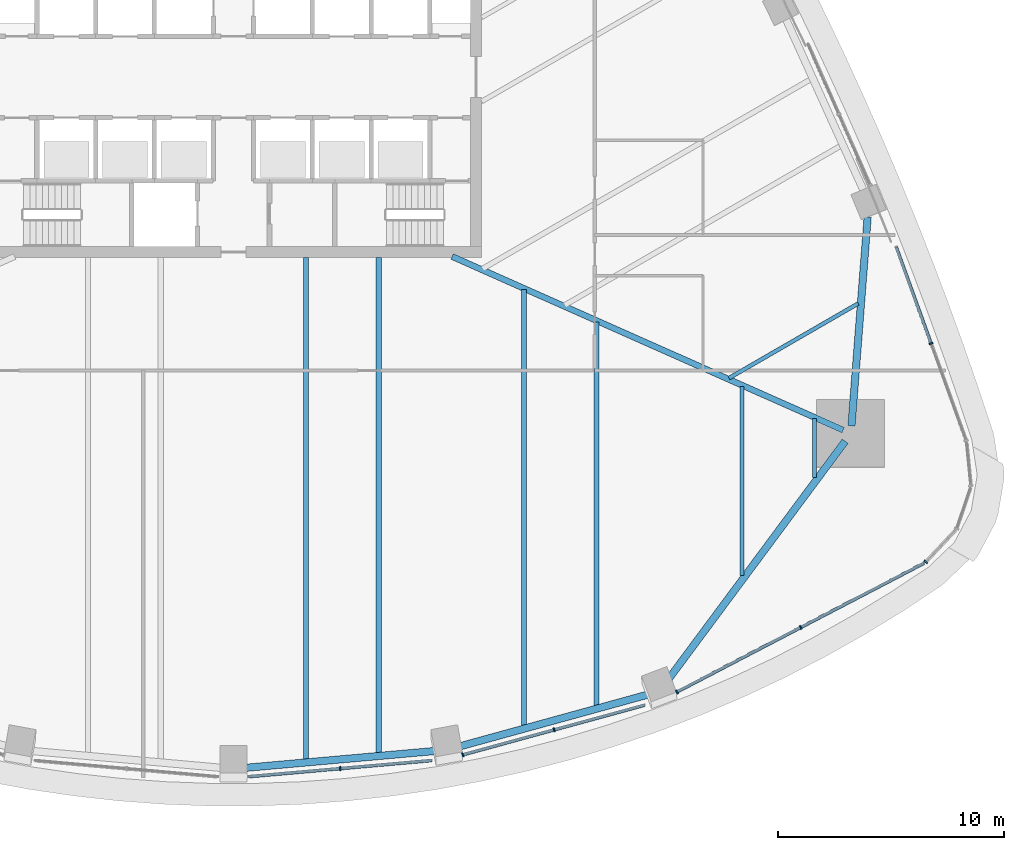
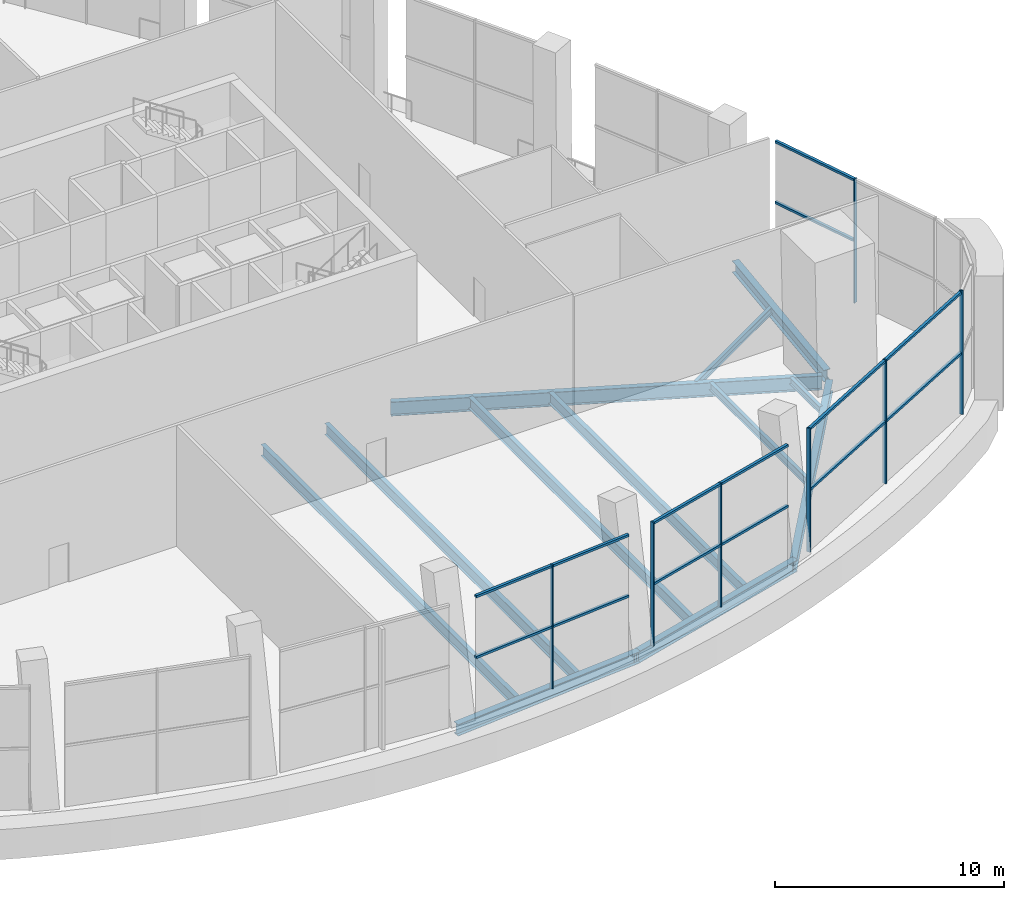
# One storey, part 5 of 23: 21 members, 12 beams, 5 elements without a shape of their own.
"""IFC4 building model written with IfcOpenShell, lengths in metres."""

import ifcopenshell
import ifcopenshell.guid

model = None  # the IFC model being written
_history = None  # IfcOwnerHistory: only IFC2X3 demands one
_inside = {}  # id of a spatial element -> (the spatial element, [elements in it])
_under = {}  # id of a project, library or spatial element -> (it, [spatial elements below it])
_declared = {}  # id of a project -> (the project, [libraries it declares])
_typed = {}  # id of a type object -> (the type object, [elements of that type])
_made_of = {}  # id of a material, layer set ... -> (it, [elements and type objects made of it])


def new_model(schema):
    """Start an empty IFC model of exactly this schema.

    Asked for "IFC4X3", IfcOpenShell would pick the latest addendum, in which some entities
    have other attributes; the version numbers below select the first issue.
    IFC2X3 requires an IfcOwnerHistory on every rooted entity: one is made here for all.
    """
    global model, _history
    if schema == "IFC4X3":
        model = ifcopenshell.file(schema_version=(4, 3, 0, 0))
    else:
        model = ifcopenshell.file(schema=schema)
    _inside.clear()
    _under.clear()
    _declared.clear()
    _typed.clear()
    _made_of.clear()
    _history = None
    if model.schema == "IFC2X3":
        org = make("IfcOrganization", Name="unknown")
        user = make(
            "IfcPersonAndOrganization",
            ThePerson=make("IfcPerson", FamilyName="unknown"),
            TheOrganization=org,
        )
        app = make(
            "IfcApplication",
            ApplicationDeveloper=org,
            Version="unknown",
            ApplicationFullName="unknown",
            ApplicationIdentifier="unknown",
        )
        _history = make(
            "IfcOwnerHistory",
            OwningUser=user,
            OwningApplication=app,
            ChangeAction="ADDED",
            CreationDate=0,
        )
    return model


def make(cls, **values):
    """One entity of the class cls with the attributes given. An attribute that is None is left unset."""
    return model.create_entity(
        cls, **{name: value for name, value in values.items() if value is not None}
    )


def rooted(cls, **values):
    """An entity with a GlobalId (a new one), such as an element, a storey or a relation."""
    return make(cls, GlobalId=ifcopenshell.guid.new(), OwnerHistory=_history, **values)


def si_unit(unit_type, name, prefix=None):
    """IfcSIUnit, for example si_unit("LENGTHUNIT", "METRE", prefix="MILLI")."""
    return make("IfcSIUnit", UnitType=unit_type, Prefix=prefix, Name=name)


def assignment(units):
    """IfcUnitAssignment: the units of a project."""
    return None if units is None else make("IfcUnitAssignment", Units=units)


def point(xyz):
    """IfcCartesianPoint."""
    return None if xyz is None else make("IfcCartesianPoint", Coordinates=xyz)


def direction(xyz):
    """IfcDirection."""
    return None if xyz is None else make("IfcDirection", DirectionRatios=xyz)


def frame(location, z_axis=None, x_axis=None):
    """IfcAxis2Placement3D, a coordinate frame: its origin and axes. An axis left out is left unset."""
    return make(
        "IfcAxis2Placement3D",
        Location=point(location),
        Axis=direction(z_axis),
        RefDirection=direction(x_axis),
    )


def frame_2d(location, x_axis=None):
    """IfcAxis2Placement2D, a coordinate frame in the plane: its origin and x axis."""
    return make(
        "IfcAxis2Placement2D", Location=point(location), RefDirection=direction(x_axis)
    )


def origin():
    """The frame at (0, 0, 0) with its axes left unset."""
    return frame((0.0, 0.0, 0.0))


def origin_2d():
    """The frame at (0, 0) in the plane with its x axis left unset."""
    return frame_2d((0.0, 0.0))


def place(relative_to, where):
    """IfcLocalPlacement: puts the frame where relative to a parent placement (None: the world)."""
    return make(
        "IfcLocalPlacement", PlacementRelTo=relative_to, RelativePlacement=where
    )


def context(
    kind, dimensions, precision=None, world=None, true_north=None, identifier=None
):
    """IfcGeometricRepresentationContext, for example the 3D "Model" context."""
    return make(
        "IfcGeometricRepresentationContext",
        ContextIdentifier=identifier,
        ContextType=kind,
        CoordinateSpaceDimension=dimensions,
        Precision=precision,
        WorldCoordinateSystem=world,
        TrueNorth=true_north,
    )


def subcontext(parent, identifier, kind, view, scale=None):
    """IfcGeometricRepresentationSubContext, for example "Body" below "Model"."""
    return make(
        "IfcGeometricRepresentationSubContext",
        ContextIdentifier=identifier,
        ContextType=kind,
        ParentContext=parent,
        TargetScale=scale,
        TargetView=view,
    )


def project(units=None, contexts=None):
    """IfcProject with its units and contexts."""
    return rooted(
        "IfcProject",
        Name="project",
        RepresentationContexts=contexts,
        UnitsInContext=assignment(units),
    )


def spatial(cls, under=None, at=None, **own):
    """A site, building, storey or space (cls), placed at a placement, below another one or the project."""
    s = rooted(cls, ObjectPlacement=at, **own)
    if under is not None:
        _under.setdefault(under.id(), (under, []))[1].append(s)
    return s


def profile(cls, at=None, kind="AREA", **sizes):
    """A parametric profile (cls). Its sizes go by their IFC names, for example OverallWidth=200.0."""
    return make(cls, ProfileType=kind, Position=at, **sizes)


def rectangle(**sizes):
    """IfcRectangleProfileDef."""
    return profile("IfcRectangleProfileDef", **sizes)


def i_section(**sizes):
    """IfcIShapeProfileDef."""
    return profile("IfcIShapeProfileDef", **sizes)


def extrude(swept, where, along, depth):
    """IfcExtrudedAreaSolid: the profile swept, set in the frame where, extruded along a direction by depth."""
    return make(
        "IfcExtrudedAreaSolid",
        SweptArea=swept,
        Position=where,
        ExtrudedDirection=direction(along),
        Depth=depth,
    )


def shape(context_of_items, identifier, shape_type, items):
    """IfcShapeRepresentation: the items that make up one representation, for example the "Body"."""
    return make(
        "IfcShapeRepresentation",
        ContextOfItems=context_of_items,
        RepresentationIdentifier=identifier,
        RepresentationType=shape_type,
        Items=items,
    )


def material(Name=None, Category=None):
    """IfcMaterial."""
    return make("IfcMaterial", Name=Name, Category=Category)


def layer(
    of_material, thickness, ventilated=None, Name=None, Category=None, Priority=None
):
    """IfcMaterialLayer: one layer of a wall or slab, of a material (None: an air gap)."""
    return make(
        "IfcMaterialLayer",
        Material=of_material,
        LayerThickness=thickness,
        IsVentilated=ventilated,
        Name=Name,
        Category=Category,
        Priority=Priority,
    )


def layer_set(layers, Name=None):
    """IfcMaterialLayerSet."""
    return make("IfcMaterialLayerSet", MaterialLayers=layers, LayerSetName=Name)


def material_profile(
    of_material, cross_section, Name=None, Category=None, Priority=None
):
    """IfcMaterialProfile: a cross section and its material."""
    return make(
        "IfcMaterialProfile",
        Name=Name,
        Material=of_material,
        Profile=cross_section,
        Priority=Priority,
        Category=Category,
    )


def profile_set(profiles, Name=None, composite=None):
    """IfcMaterialProfileSet."""
    return make(
        "IfcMaterialProfileSet",
        Name=Name,
        MaterialProfiles=profiles,
        CompositeProfile=composite,
    )


def made_of(thing, what):
    """Note that an element or type object is made of a material, layer set ...; save() writes the relation."""
    if what is not None:
        _made_of.setdefault(what.id(), (what, []))[1].append(thing)
    return thing


def type_object(cls, material=None, **own):
    """A type object (cls), such as IfcWallType, which elements share."""
    return made_of(rooted(cls, **own), material)


def element(
    cls,
    number,
    at=None,
    inside=None,
    cuts=None,
    type_object=None,
    material=None,
    context=None,
    identifier="Body",
    shape_type=None,
    held_by="IfcProductDefinitionShape",
    body=None,
    shapes=None,
    **own,
):
    """One element of the class cls, such as IfcWall. Its Tag is "e" and its number.

    at: its placement. inside: the storey or other place that contains it. cuts: it is an
    opening in that element (IfcRelVoidsElement). A single representation is given by context,
    identifier, shape_type and body (its items); several are given by shapes. held_by: the class
    of the entity that holds the representations. save() writes the other relations.
    """
    e = rooted(cls, Tag="e%d" % number, ObjectPlacement=at, **own)
    if body is not None:
        shapes = [shape(context, identifier, shape_type, body)]
    if shapes is not None:
        e.Representation = make(held_by, Representations=shapes)
    if inside is not None:
        _inside.setdefault(inside.id(), (inside, []))[1].append(e)
    if cuts is not None:
        rooted(
            "IfcRelVoidsElement", RelatingBuildingElement=cuts, RelatedOpeningElement=e
        )
    if type_object is not None:
        _typed.setdefault(type_object.id(), (type_object, []))[1].append(e)
    return made_of(e, material)


def aggregate(whole, parts):
    """IfcRelAggregates: a whole, such as a stair, and the parts it consists of."""
    return rooted("IfcRelAggregates", RelatingObject=whole, RelatedObjects=parts)


def save(model, path):
    """Write the relations noted so far, then the file.

    IfcRelAggregates (storeys below a building ...), IfcRelContainedInSpatialStructure (elements
    in a storey), IfcRelDefinesByType, IfcRelAssociatesMaterial and IfcRelDeclares: one each for
    every whole, place, type object, material and project.
    """
    for whole, parts in _under.values():
        aggregate(whole, parts)
    for where, things in _inside.values():
        rooted(
            "IfcRelContainedInSpatialStructure",
            RelatedElements=things,
            RelatingStructure=where,
        )
    for kind, things in _typed.values():
        rooted("IfcRelDefinesByType", RelatedObjects=things, RelatingType=kind)
    for what, things in _made_of.values():
        rooted("IfcRelAssociatesMaterial", RelatedObjects=things, RelatingMaterial=what)
    for by, libraries in _declared.values():
        rooted("IfcRelDeclares", RelatingContext=by, RelatedDefinitions=libraries)
    model.write(path)


model = new_model("IFC4")

# Units and contexts
model_context = context("Model", 3, precision=1e-05, world=origin(), true_north=direction((0.0, 1.0)))
body_context = subcontext(model_context, "Body", "Model", "MODEL_VIEW")
ifc_project = project(units=[si_unit("LENGTHUNIT", "METRE"), si_unit("AREAUNIT", "SQUARE_METRE"), si_unit("VOLUMEUNIT", "CUBIC_METRE"), si_unit("PLANEANGLEUNIT", "RADIAN"), si_unit("MASSUNIT", "GRAM", prefix="KILO")], contexts=[model_context])

# Site, building, storey
site_placement = place(None, origin())
site = spatial("IfcSite", under=ifc_project, at=site_placement, CompositionType="ELEMENT")
building_placement = place(site_placement, origin())
building = spatial("IfcBuilding", under=site, at=building_placement, Name="Sierra Prisma Convention Tower", CompositionType="ELEMENT")
storey_placement = place(building_placement, frame((0.0, 0.0, 40.800048828125)))
storey = spatial("IfcBuildingStorey", under=building, at=storey_placement, Name="L06", CompositionType="ELEMENT", Elevation=40.800048828125)

# Curtain wall, member
ifc_material_1 = material(Name="Aluminium and glass curtain wall", Category="aluminium")
ifc_layer = layer(ifc_material_1, 0.179931640625)
ifc_layer_set = layer_set([ifc_layer], Name="CW-4 Sky lobby double-height curtain wall")
curtain_wall_type = type_object("IfcCurtainWallType", Name="CW-4 Sky lobby double-height curtain wall", PredefinedType="NOTDEFINED", material=ifc_layer_set)
curtain_wall_1_placement = place(storey_placement, origin())
curtain_wall_1 = element("IfcCurtainWall", 1, at=curtain_wall_1_placement, inside=storey, type_object=curtain_wall_type, Name="CW-4 S4 L06", PredefinedType="NOTDEFINED")
ifc_material_2 = material(Name="Aluminium 6063-T6 bronze anodised", Category="aluminium")
ifc_material_profile_1 = material_profile(ifc_material_2, rectangle(XDim=0.179931640625, YDim=0.070068359375, at=origin_2d()), Name="ALU MULLION 70x180")
ifc_profile_set_1 = profile_set([ifc_material_profile_1], Name="Aluminium 6063-T6 bronze anodised")
member_type_1 = type_object("IfcMemberType", Name="CW mullion bronze", PredefinedType="MULLION", material=ifc_profile_set_1)
member_1_placement = place(storey_placement, frame((4.728515625, -30.632568359375, 0.0), z_axis=(0.0, 0.0, 1.0), x_axis=(-0.087925727556, 0.996127033281, 0.0)))
member_1 = element("IfcMember", 2, at=member_1_placement, type_object=member_type_1, Name="CW-4 mullion S4.2", PredefinedType="MULLION", context=body_context, shape_type="SweptSolid", body=[
    extrude(rectangle(XDim=0.179931640625, YDim=0.070068359375, at=origin_2d()), origin(), (0.0, 0.0, 1.0), 6.599853515625),
])

# Curtain wall, members
curtain_wall_2_placement = place(storey_placement, origin())
curtain_wall_2 = element("IfcCurtainWall", 3, at=curtain_wall_2_placement, inside=storey, type_object=curtain_wall_type, Name="CW-4 S5 L06", PredefinedType="NOTDEFINED")
member_2_placement = place(storey_placement, frame((10.161376953125, -30.02294921875, 0.0), z_axis=(0.0, 0.0, 1.0), x_axis=(-0.263456451003, 0.96467129035, 0.0)))
member_2 = element("IfcMember", 4, at=member_2_placement, type_object=member_type_1, Name="CW-4 mullion S5.1", PredefinedType="MULLION", context=body_context, shape_type="SweptSolid", body=[
    extrude(rectangle(XDim=0.179931640625, YDim=0.070068359375, at=origin_2d()), origin(), (0.0, 0.0, 1.0), 6.599853515625),
])
member_3_placement = place(storey_placement, frame((14.2109375, -28.9169921875, 0.0), z_axis=(0.0, 0.0, 1.0), x_axis=(-0.263456451003, 0.96467129035, 0.0)))
member_3 = element("IfcMember", 5, at=member_3_placement, type_object=member_type_1, Name="CW-4 mullion S5.2", PredefinedType="MULLION", context=body_context, shape_type="SweptSolid", body=[
    extrude(rectangle(XDim=0.179931640625, YDim=0.070068359375, at=origin_2d()), origin(), (0.0, 0.0, 1.0), 6.599853515625),
])

curtain_wall_3_placement = place(storey_placement, origin())
curtain_wall_3 = element("IfcCurtainWall", 6, at=curtain_wall_3_placement, inside=storey, type_object=curtain_wall_type, Name="CW-4 S6 L06", PredefinedType="NOTDEFINED")
member_4_placement = place(storey_placement, frame((19.648681640625, -27.239501953125, 0.0), z_axis=(0.0, 0.0, 1.0), x_axis=(-0.462150644342, 0.886801433205, 0.0)))
member_4 = element("IfcMember", 7, at=member_4_placement, type_object=member_type_1, Name="CW-4 mullion S6.1", PredefinedType="MULLION", context=body_context, shape_type="SweptSolid", body=[
    extrude(rectangle(XDim=0.179931640625, YDim=0.070068359375, at=origin_2d()), origin(), (0.0, 0.0, 1.0), 6.599853515625),
])
member_5_placement = place(storey_placement, frame((25.133056640625, -24.38134765625, 0.0), z_axis=(0.0, 0.0, 1.0), x_axis=(-0.462150644342, 0.886801433205, 0.0)))
member_5 = element("IfcMember", 8, at=member_5_placement, type_object=member_type_1, Name="CW-4 mullion S6.2", PredefinedType="MULLION", context=body_context, shape_type="SweptSolid", body=[
    extrude(rectangle(XDim=0.179931640625, YDim=0.070068359375, at=origin_2d()), origin(), (0.0, 0.0, 1.0), 6.599853515625),
])

# Curtain wall, member
curtain_wall_4_placement = place(storey_placement, origin())
curtain_wall_4 = element("IfcCurtainWall", 9, at=curtain_wall_4_placement, inside=storey, type_object=curtain_wall_type, Name="CW-4 SE1 L06", PredefinedType="NOTDEFINED")
member_6_placement = place(storey_placement, frame((30.67236328125, -21.4814453125, 0.0), z_axis=(0.0, 0.0, 1.0), x_axis=(-0.729107030671, 0.684399691573, 0.0)))
member_6 = element("IfcMember", 10, at=member_6_placement, type_object=member_type_1, Name="CW-4 mullion SE1.1", PredefinedType="MULLION", context=body_context, shape_type="SweptSolid", body=[
    extrude(rectangle(XDim=0.179931640625, YDim=0.070068359375, at=origin_2d()), origin(), (0.0, 0.0, 1.0), 6.599853515625),
])
aggregate(curtain_wall_4, [member_6])

curtain_wall_5_placement = place(storey_placement, origin())
curtain_wall_5 = element("IfcCurtainWall", 11, at=curtain_wall_5_placement, inside=storey, type_object=curtain_wall_type, Name="CW-4 NE1 L06", PredefinedType="NOTDEFINED")
member_7_placement = place(storey_placement, frame((30.905517578125, -11.8017578125, 0.0), z_axis=(0.0, 0.0, 1.0), x_axis=(-0.94047850011, -0.339853190115, 0.0)))
member_7 = element("IfcMember", 12, at=member_7_placement, type_object=member_type_1, Name="CW-4 mullion NE1.2", PredefinedType="MULLION", context=body_context, shape_type="SweptSolid", body=[
    extrude(rectangle(XDim=0.179931640625, YDim=0.070068359375, at=origin_2d()), origin(), (0.0, 0.0, 1.0), 6.599853515625),
])

# Member
ifc_material_3 = material(Name="Aluminium 6063-T6 bronze anodised", Category="aluminium")
ifc_material_profile_2 = material_profile(ifc_material_3, rectangle(XDim=0.139892578125, YDim=0.1201171875, at=origin_2d()), Name="ALU TRANSOM 120x140")
ifc_profile_set_2 = profile_set([ifc_material_profile_2], Name="Aluminium 6063-T6 bronze anodised")
member_type_2 = type_object("IfcMemberType", Name="CW transom bronze", PredefinedType="USERDEFINED", material=ifc_profile_set_2)
member_8_placement = place(storey_placement, frame((0.66748046875, -30.9912109375, 6.5400390625), z_axis=(0.996125026563, 0.087948459079, 0.0), x_axis=(-0.087948459079, 0.996125026563, 0.0)))
member_8 = element("IfcMember", 13, at=member_8_placement, type_object=member_type_2, Name="CW-4 transom S4.1", ObjectType="TRANSOM", PredefinedType="USERDEFINED", context=body_context, shape_type="SweptSolid", body=[
    extrude(rectangle(XDim=0.139892578125, YDim=0.1201171875, at=origin_2d()), origin(), (0.0, 0.0, 1.0), 4.041748046875),
])

member_9_placement = place(storey_placement, frame((0.66748046875, -30.9912109375, 3.300048828125), z_axis=(0.996125026563, 0.087948459079, 0.0), x_axis=(-0.087948459079, 0.996125026563, 0.0)))
member_9 = element("IfcMember", 14, at=member_9_placement, type_object=member_type_2, Name="CW-4 transom S4.1 mid", ObjectType="TRANSOM", PredefinedType="USERDEFINED", context=body_context, shape_type="SweptSolid", body=[
    extrude(rectangle(XDim=0.139892578125, YDim=0.1201171875, at=origin_2d()), origin(), (0.0, 0.0, 1.0), 4.041748046875),
])

member_10_placement = place(storey_placement, frame((4.763427734375, -30.629638671875, 6.5400390625), z_axis=(0.996125026563, 0.087948459079, 0.0), x_axis=(-0.087948459079, 0.996125026563, 0.0)))
member_10 = element("IfcMember", 15, at=member_10_placement, type_object=member_type_2, Name="CW-4 transom S4.2", ObjectType="TRANSOM", PredefinedType="USERDEFINED", context=body_context, shape_type="SweptSolid", body=[
    extrude(rectangle(XDim=0.139892578125, YDim=0.1201171875, at=origin_2d()), origin(), (0.0, 0.0, 1.0), 4.041748046875),
])

member_11_placement = place(storey_placement, frame((4.763427734375, -30.629638671875, 3.300048828125), z_axis=(0.996125026563, 0.087948459079, 0.0), x_axis=(-0.087948459079, 0.996125026563, 0.0)))
member_11 = element("IfcMember", 16, at=member_11_placement, type_object=member_type_2, Name="CW-4 transom S4.2 mid", ObjectType="TRANSOM", PredefinedType="USERDEFINED", context=body_context, shape_type="SweptSolid", body=[
    extrude(rectangle(XDim=0.139892578125, YDim=0.1201171875, at=origin_2d()), origin(), (0.0, 0.0, 1.0), 4.041748046875),
])

aggregate(curtain_wall_1, [member_1, member_8, member_9, member_10, member_11])

member_12_placement = place(storey_placement, frame((10.195068359375, -30.013671875, 6.5400390625), z_axis=(0.964665487214, 0.263477698825, 0.0), x_axis=(-0.263477698825, 0.964665487214, 0.0)))
member_12 = element("IfcMember", 17, at=member_12_placement, type_object=member_type_2, Name="CW-4 transom S5.1", ObjectType="TRANSOM", PredefinedType="USERDEFINED", context=body_context, shape_type="SweptSolid", body=[
    extrude(rectangle(XDim=0.139892578125, YDim=0.1201171875, at=origin_2d()), origin(), (0.0, 0.0, 1.0), 4.1279296875),
])

member_13_placement = place(storey_placement, frame((10.195068359375, -30.013671875, 3.300048828125), z_axis=(0.964665487214, 0.263477698825, 0.0), x_axis=(-0.263477698825, 0.964665487214, 0.0)))
member_13 = element("IfcMember", 18, at=member_13_placement, type_object=member_type_2, Name="CW-4 transom S5.1 mid", ObjectType="TRANSOM", PredefinedType="USERDEFINED", context=body_context, shape_type="SweptSolid", body=[
    extrude(rectangle(XDim=0.139892578125, YDim=0.1201171875, at=origin_2d()), origin(), (0.0, 0.0, 1.0), 4.1279296875),
])

member_14_placement = place(storey_placement, frame((14.24462890625, -28.90771484375, 6.5400390625), z_axis=(0.964676413509, 0.263437691341, 0.0), x_axis=(-0.263437691341, 0.964676413509, 0.0)))
member_14 = element("IfcMember", 19, at=member_14_placement, type_object=member_type_2, Name="CW-4 transom S5.2", ObjectType="TRANSOM", PredefinedType="USERDEFINED", context=body_context, shape_type="SweptSolid", body=[
    extrude(rectangle(XDim=0.139892578125, YDim=0.1201171875, at=origin_2d()), origin(), (0.0, 0.0, 1.0), 4.127685546875),
])

member_15_placement = place(storey_placement, frame((14.24462890625, -28.90771484375, 3.300048828125), z_axis=(0.964676413509, 0.263437691341, 0.0), x_axis=(-0.263437691341, 0.964676413509, 0.0)))
member_15 = element("IfcMember", 20, at=member_15_placement, type_object=member_type_2, Name="CW-4 transom S5.2 mid", ObjectType="TRANSOM", PredefinedType="USERDEFINED", context=body_context, shape_type="SweptSolid", body=[
    extrude(rectangle(XDim=0.139892578125, YDim=0.1201171875, at=origin_2d()), origin(), (0.0, 0.0, 1.0), 4.127685546875),
])

aggregate(curtain_wall_2, [member_2, member_3, member_12, member_13, member_14, member_15])

member_16_placement = place(storey_placement, frame((19.6796875, -27.22314453125, 6.5400390625), z_axis=(0.886811139692, 0.462132018496, 0.0), x_axis=(-0.462132018496, 0.886811139692, 0.0)))
member_16 = element("IfcMember", 21, at=member_16_placement, type_object=member_type_2, Name="CW-4 transom S6.1", ObjectType="TRANSOM", PredefinedType="USERDEFINED", context=body_context, shape_type="SweptSolid", body=[
    extrude(rectangle(XDim=0.139892578125, YDim=0.1201171875, at=origin_2d()), origin(), (0.0, 0.0, 1.0), 6.114501953125),
])

member_17_placement = place(storey_placement, frame((19.6796875, -27.22314453125, 3.300048828125), z_axis=(0.886811139692, 0.462132018496, 0.0), x_axis=(-0.462132018496, 0.886811139692, 0.0)))
member_17 = element("IfcMember", 22, at=member_17_placement, type_object=member_type_2, Name="CW-4 transom S6.1 mid", ObjectType="TRANSOM", PredefinedType="USERDEFINED", context=body_context, shape_type="SweptSolid", body=[
    extrude(rectangle(XDim=0.139892578125, YDim=0.1201171875, at=origin_2d()), origin(), (0.0, 0.0, 1.0), 6.114501953125),
])

member_18_placement = place(storey_placement, frame((25.1640625, -24.365234375, 6.5400390625), z_axis=(0.886786246986, 0.46217978337, 0.0), x_axis=(-0.46217978337, 0.886786246986, 0.0)))
member_18 = element("IfcMember", 23, at=member_18_placement, type_object=member_type_2, Name="CW-4 transom S6.2", ObjectType="TRANSOM", PredefinedType="USERDEFINED", context=body_context, shape_type="SweptSolid", body=[
    extrude(rectangle(XDim=0.139892578125, YDim=0.1201171875, at=origin_2d()), origin(), (0.0, 0.0, 1.0), 6.1142578125),
])

member_19_placement = place(storey_placement, frame((25.1640625, -24.365234375, 3.300048828125), z_axis=(0.886786246986, 0.46217978337, 0.0), x_axis=(-0.46217978337, 0.886786246986, 0.0)))
member_19 = element("IfcMember", 24, at=member_19_placement, type_object=member_type_2, Name="CW-4 transom S6.2 mid", ObjectType="TRANSOM", PredefinedType="USERDEFINED", context=body_context, shape_type="SweptSolid", body=[
    extrude(rectangle(XDim=0.139892578125, YDim=0.1201171875, at=origin_2d()), origin(), (0.0, 0.0, 1.0), 6.1142578125),
])

aggregate(curtain_wall_3, [member_4, member_5, member_16, member_17, member_18, member_19])

member_20_placement = place(storey_placement, frame((30.8935546875, -11.768798828125, 6.5400390625), z_axis=(-0.339844307488, 0.940481709906, 0.0), x_axis=(-0.940481709906, -0.339844307488, 0.0)))
member_20 = element("IfcMember", 25, at=member_20_placement, type_object=member_type_2, Name="CW-4 transom NE1.2", ObjectType="TRANSOM", PredefinedType="USERDEFINED", context=body_context, shape_type="SweptSolid", body=[
    extrude(rectangle(XDim=0.139892578125, YDim=0.1201171875, at=origin_2d()), origin(), (0.0, 0.0, 1.0), 4.5029296875),
])

member_21_placement = place(storey_placement, frame((30.8935546875, -11.768798828125, 3.300048828125), z_axis=(-0.339844307488, 0.940481709906, 0.0), x_axis=(-0.940481709906, -0.339844307488, 0.0)))
member_21 = element("IfcMember", 26, at=member_21_placement, type_object=member_type_2, Name="CW-4 transom NE1.2 mid", ObjectType="TRANSOM", PredefinedType="USERDEFINED", context=body_context, shape_type="SweptSolid", body=[
    extrude(rectangle(XDim=0.139892578125, YDim=0.1201171875, at=origin_2d()), origin(), (0.0, 0.0, 1.0), 4.5029296875),
])

aggregate(curtain_wall_5, [member_7, member_20, member_21])

# Beams
ifc_material_4 = material(Name="Steel ASTM A992 Gr 50", Category="steel")
ifc_material_profile_3 = material_profile(ifc_material_4, i_section(OverallWidth=0.172119140625, OverallDepth=0.35791015625, WebThickness=0.0078125, FlangeThickness=0.01318359375, at=origin_2d()), Name="W360x57")
ifc_profile_set_3 = profile_set([ifc_material_profile_3], Name="Steel ASTM A992 Gr 50")
beam_type_1 = type_object("IfcBeamType", Name="Floor joist W360x57", PredefinedType="JOIST", material=ifc_profile_set_3)
beam_1_placement = place(storey_placement, frame((25.74609375, -17.738037109375, -0.3291015625), z_axis=(0.0, 1.0, 0.0), x_axis=(-1.0, 0.0, 0.0)))
element("IfcBeam", 27, at=beam_1_placement, inside=storey, type_object=beam_type_1, Name="Floor joist L06 S17", PredefinedType="JOIST", context=body_context, shape_type="SweptSolid", body=[
    extrude(i_section(OverallWidth=0.172119140625, OverallDepth=0.35791015625, WebThickness=0.0078125, FlangeThickness=0.01318359375, at=origin_2d()), origin(), (0.0, 0.0, 1.0), 2.600830078125),
])
beam_2_placement = place(storey_placement, frame((27.6796875, -10.031982421875, -0.3291015625), z_axis=(-0.866034931244, -0.499983497593, 0.0), x_axis=(0.499983497593, -0.866034931244, 0.0)))
element("IfcBeam", 28, at=beam_2_placement, inside=storey, type_object=beam_type_1, Name="Floor joist L06 NE02", PredefinedType="JOIST", context=body_context, shape_type="SweptSolid", body=[
    extrude(i_section(OverallWidth=0.172119140625, OverallDepth=0.35791015625, WebThickness=0.0078125, FlangeThickness=0.01318359375, at=origin_2d()), origin(), (0.0, 0.0, 1.0), 6.611572265625),
])
ifc_material_5 = material(Name="Steel ASTM A992 Gr 50", Category="steel")
ifc_material_profile_4 = material_profile(ifc_material_5, i_section(OverallWidth=0.177978515625, OverallDepth=0.406982421875, WebThickness=0.0078125, FlangeThickness=0.0126953125, at=origin_2d()), Name="W410x60")
ifc_profile_set_4 = profile_set([ifc_material_profile_4], Name="Steel ASTM A992 Gr 50")
beam_type_2 = type_object("IfcBeamType", Name="Floor joist W410x60", PredefinedType="JOIST", material=ifc_profile_set_4)
beam_3_placement = place(storey_placement, frame((22.52783203125, -22.072021484375, -0.353515625), z_axis=(0.0, 1.0, 0.0), x_axis=(-1.0, 0.0, 0.0)))
element("IfcBeam", 29, at=beam_3_placement, inside=storey, type_object=beam_type_2, Name="Floor joist L06 S16", PredefinedType="JOIST", context=body_context, shape_type="SweptSolid", body=[
    extrude(i_section(OverallWidth=0.177978515625, OverallDepth=0.406982421875, WebThickness=0.0078125, FlangeThickness=0.0126953125, at=origin_2d()), origin(), (0.0, 0.0, 1.0), 8.363525390625),
])
ifc_material_6 = material(Name="Steel ASTM A992 Gr 50", Category="steel")
ifc_material_profile_5 = material_profile(ifc_material_6, i_section(OverallWidth=0.22802734375, OverallDepth=0.60302734375, WebThickness=0.010498046875, FlangeThickness=0.014892578125, at=origin_2d()), Name="W610x101")
ifc_profile_set_5 = profile_set([ifc_material_profile_5], Name="Steel ASTM A992 Gr 50")
beam_type_3 = type_object("IfcBeamType", Name="Floor joist W610x101", PredefinedType="JOIST", material=ifc_profile_set_5)
beam_4_placement = place(storey_placement, frame((3.21826171875, -30.250732421875, -0.45166015625), z_axis=(0.0, 1.0, 0.0), x_axis=(-1.0, 0.0, 0.0)))
element("IfcBeam", 30, at=beam_4_placement, inside=storey, type_object=beam_type_3, Name="Floor joist L06 S10", PredefinedType="JOIST", context=body_context, shape_type="SweptSolid", body=[
    extrude(i_section(OverallWidth=0.22802734375, OverallDepth=0.60302734375, WebThickness=0.010498046875, FlangeThickness=0.014892578125, at=origin_2d()), origin(), (0.0, 0.0, 1.0), 22.250732421875),
])
beam_5_placement = place(storey_placement, frame((6.4365234375, -29.96435546875, -0.45166015625), z_axis=(0.0, 1.0, 0.0), x_axis=(-1.0, 0.0, 0.0)))
element("IfcBeam", 31, at=beam_5_placement, inside=storey, type_object=beam_type_3, Name="Floor joist L06 S11", PredefinedType="JOIST", context=body_context, shape_type="SweptSolid", body=[
    extrude(i_section(OverallWidth=0.22802734375, OverallDepth=0.60302734375, WebThickness=0.010498046875, FlangeThickness=0.014892578125, at=origin_2d()), origin(), (0.0, 0.0, 1.0), 21.96435546875),
])
beam_6_placement = place(storey_placement, frame((12.873046875, -28.749755859375, -0.45166015625), z_axis=(0.0, 1.0, 0.0), x_axis=(-1.0, 0.0, 0.0)))
element("IfcBeam", 32, at=beam_6_placement, inside=storey, type_object=beam_type_3, Name="Floor joist L06 S13", PredefinedType="JOIST", context=body_context, shape_type="SweptSolid", body=[
    extrude(i_section(OverallWidth=0.22802734375, OverallDepth=0.60302734375, WebThickness=0.010498046875, FlangeThickness=0.014892578125, at=origin_2d()), origin(), (0.0, 0.0, 1.0), 19.32763671875),
])
beam_7_placement = place(storey_placement, frame((16.09130859375, -27.86376953125, -0.45166015625), z_axis=(0.0, 1.0, 0.0), x_axis=(-1.0, 0.0, 0.0)))
element("IfcBeam", 33, at=beam_7_placement, inside=storey, type_object=beam_type_3, Name="Floor joist L06 S14", PredefinedType="JOIST", context=body_context, shape_type="SweptSolid", body=[
    extrude(i_section(OverallWidth=0.22802734375, OverallDepth=0.60302734375, WebThickness=0.010498046875, FlangeThickness=0.014892578125, at=origin_2d()), origin(), (0.0, 0.0, 1.0), 17.012939453125),
])
ifc_material_7 = material(Name="Steel ASTM A992 Gr 50", Category="steel")
ifc_material_profile_6 = material_profile(ifc_material_7, i_section(OverallWidth=0.264892578125, OverallDepth=0.7529296875, WebThickness=0.01318359375, FlangeThickness=0.01708984375, at=origin_2d()), Name="W760x147")
ifc_profile_set_6 = profile_set([ifc_material_profile_6], Name="Steel ASTM A992 Gr 50")
beam_type_4 = type_object("IfcBeamType", Name="Radial girder W760x147", PredefinedType="BEAM", material=ifc_profile_set_6)
beam_8_placement = place(storey_placement, frame((27.01513671875, -15.642578125, -0.526611328125), z_axis=(-0.91398196052, 0.405754822331, 0.0), x_axis=(-0.405754822331, -0.91398196052, 0.0)))
element("IfcBeam", 34, at=beam_8_placement, inside=storey, type_object=beam_type_4, Name="Radial girder L06 SE", PredefinedType="BEAM", context=body_context, shape_type="SweptSolid", body=[
    extrude(i_section(OverallWidth=0.264892578125, OverallDepth=0.7529296875, WebThickness=0.01318359375, FlangeThickness=0.01708984375, at=origin_2d()), origin(), (0.0, 0.0, 1.0), 18.955078125),
])
ifc_material_8 = material(Name="Steel ASTM A992 Gr 50", Category="steel")
ifc_material_profile_7 = material_profile(ifc_material_8, i_section(OverallWidth=0.324951171875, OverallDepth=0.615966796875, WebThickness=0.013916015625, FlangeThickness=0.021484375, at=origin_2d()), Name="W610x174")
ifc_profile_set_7 = profile_set([ifc_material_profile_7], Name="Steel ASTM A992 Gr 50")
beam_type_5 = type_object("IfcBeamType", Name="Spandrel beam W610x174", PredefinedType="BEAM", material=ifc_profile_set_7)
beam_9_placement = place(storey_placement, frame((-0.11962890625, -30.66064453125, -0.4580078125), z_axis=(0.996068707455, 0.088584028068, 0.0), x_axis=(-0.088584028068, 0.996068707455, 0.0)))
element("IfcBeam", 35, at=beam_9_placement, inside=storey, type_object=beam_type_5, Name="Spandrel L06-04", PredefinedType="BEAM", context=body_context, shape_type="SweptSolid", body=[
    extrude(i_section(OverallWidth=0.324951171875, OverallDepth=0.615966796875, WebThickness=0.013916015625, FlangeThickness=0.021484375, at=origin_2d()), origin(), (0.0, 0.0, 1.0), 9.734375),
])
beam_10_placement = place(storey_placement, frame((9.34130859375, -29.8408203125, -0.4580078125), z_axis=(0.964123631816, 0.265453616615, 0.0), x_axis=(-0.265453616615, 0.964123631816, 0.0)))
element("IfcBeam", 36, at=beam_10_placement, inside=storey, type_object=beam_type_5, Name="Spandrel L06-05", PredefinedType="BEAM", context=body_context, shape_type="SweptSolid", body=[
    extrude(i_section(OverallWidth=0.324951171875, OverallDepth=0.615966796875, WebThickness=0.013916015625, FlangeThickness=0.021484375, at=origin_2d()), origin(), (0.0, 0.0, 1.0), 10.00634765625),
])
beam_11_placement = place(storey_placement, frame((18.801513671875, -27.312744140625, -0.4580078125), z_axis=(0.596160965939, 0.802864934277, 0.0), x_axis=(-0.802864934277, 0.596160965939, 0.0)))
element("IfcBeam", 37, at=beam_11_placement, inside=storey, type_object=beam_type_5, Name="Spandrel L06-06", PredefinedType="BEAM", context=body_context, shape_type="SweptSolid", body=[
    extrude(i_section(OverallWidth=0.324951171875, OverallDepth=0.615966796875, WebThickness=0.013916015625, FlangeThickness=0.021484375, at=origin_2d()), origin(), (0.0, 0.0, 1.0), 13.924072265625),
])
beam_12_placement = place(storey_placement, frame((27.38134765625, -15.453369140625, -0.4580078125), z_axis=(0.077209640736, 0.997014880219, 0.0), x_axis=(-0.997014880219, 0.077209640736, 0.0)))
element("IfcBeam", 38, at=beam_12_placement, inside=storey, type_object=beam_type_5, Name="Spandrel L06-07", PredefinedType="BEAM", context=body_context, shape_type="SweptSolid", body=[
    extrude(i_section(OverallWidth=0.324951171875, OverallDepth=0.615966796875, WebThickness=0.013916015625, FlangeThickness=0.021484375, at=origin_2d()), origin(), (0.0, 0.0, 1.0), 9.27734375),
])

save(model, "model.ifc")
